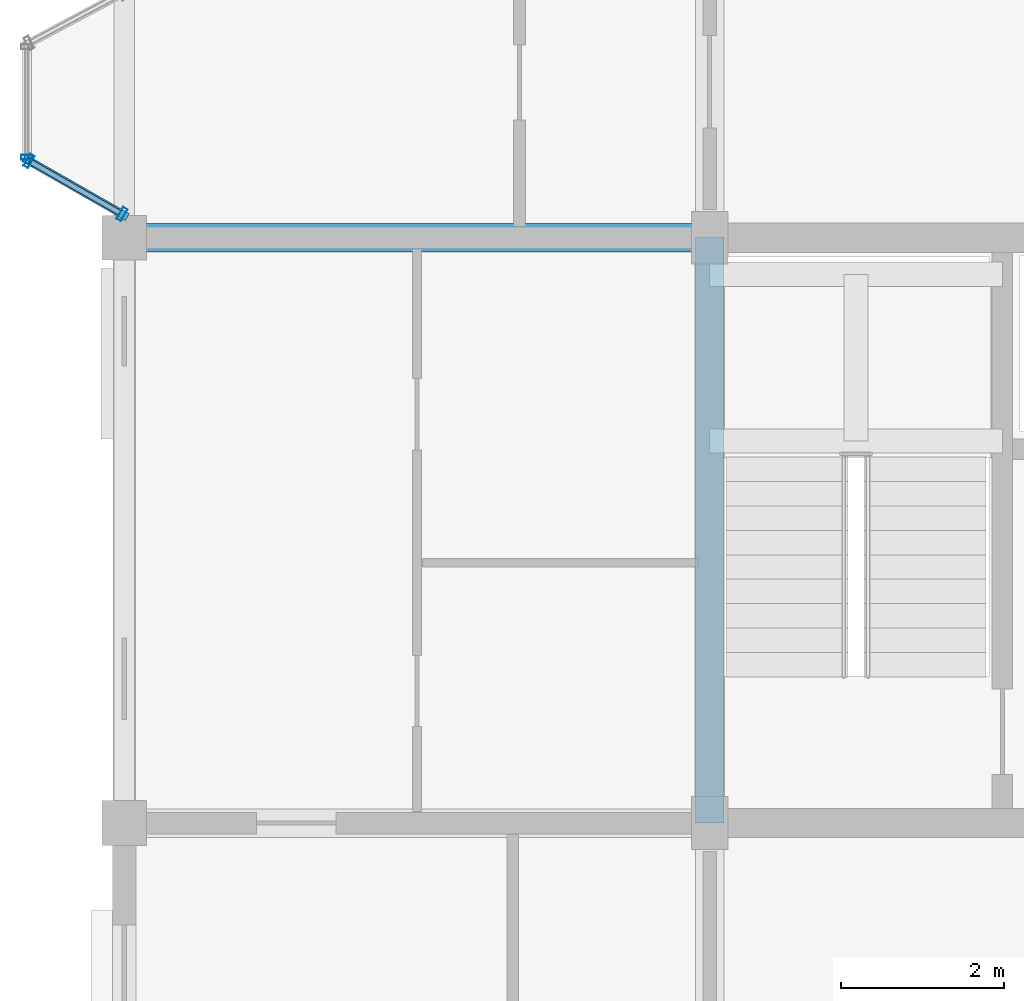
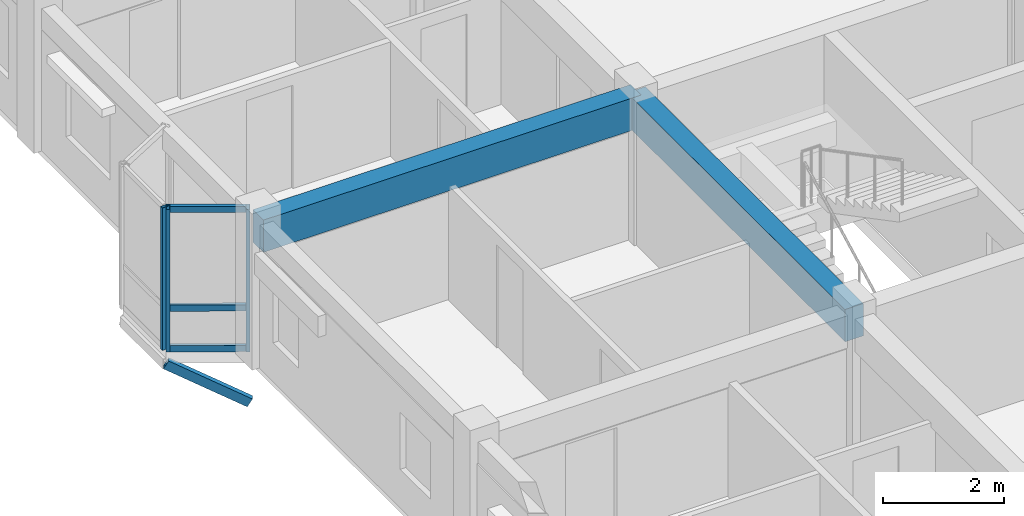
# One storey, part 4 of 77: 7 members, 2 beams, 2 elements without a shape of their own.
"""IFC4 building model written with IfcOpenShell, lengths in metres."""

from ifc_helpers import new_model, si_unit, direction, frame, origin, origin_2d, place, context, subcontext, project, spatial, rectangle, hollow_rectangle, extrude, material, layer, layer_set, material_profile, profile_set, type_object, element, aggregate, save


model = new_model("IFC4")

# Units and contexts
model_context = context("Model", 3, precision=1e-05, world=origin(), true_north=direction((0.0, 1.0)))
body_context = subcontext(model_context, "Body", "Model", "MODEL_VIEW")
ifc_project = project(units=[si_unit("LENGTHUNIT", "METRE"), si_unit("AREAUNIT", "SQUARE_METRE"), si_unit("VOLUMEUNIT", "CUBIC_METRE"), si_unit("PLANEANGLEUNIT", "RADIAN"), si_unit("MASSUNIT", "GRAM", prefix="KILO"), si_unit("THERMODYNAMICTEMPERATUREUNIT", "KELVIN"), si_unit("POWERUNIT", "WATT")], contexts=[model_context])

# Site, building, storey
site_placement = place(None, origin())
site = spatial("IfcSite", under=ifc_project, at=site_placement, CompositionType="ELEMENT")
building_placement = place(site_placement, origin())
building = spatial("IfcBuilding", under=site, at=building_placement, Name="Tavuni Mirador Residences", CompositionType="ELEMENT")
storey_placement = place(building_placement, frame((0.0, 0.0, 10.800048828125)))
storey = spatial("IfcBuildingStorey", under=building, at=storey_placement, Name="L03", CompositionType="ELEMENT", Elevation=10.800048828125)

# Beams
ifc_material_1 = material(Name="Precast concrete C40/50", Category="concrete")
ifc_material_profile_1 = material_profile(ifc_material_1, rectangle(XDim=0.35009765625, YDim=0.64990234375, at=origin_2d()), Name="PC 350x650", Category="concrete")
ifc_profile_set_1 = profile_set([ifc_material_profile_1], Name="Precast concrete C40/50")
beam_type = type_object("IfcBeamType", Name="BT-B650", PredefinedType="BEAM", material=ifc_profile_set_1)
beam_1_placement = place(storey_placement, frame((3.60009765625, 21.60009765625, 2.544921875), z_axis=(1.0, 0.0, 0.0), x_axis=(0.0, 1.0, 0.0)))
element("IfcBeam", 1, at=beam_1_placement, inside=storey, type_object=beam_type, Name="BMX-BLK-A-L03-00-02", PredefinedType="BEAM", context=body_context, shape_type="SweptSolid", body=[
    extrude(rectangle(XDim=0.35009765625, YDim=0.64990234375, at=origin_2d()), origin(), (0.0, 0.0, 1.0), 7.199951171875),
])
beam_2_placement = place(storey_placement, frame((10.800048828125, 14.39990234375, 2.544921875), z_axis=(0.0, 1.0, 0.0), x_axis=(-1.0, 0.0, 0.0)))
element("IfcBeam", 2, at=beam_2_placement, inside=storey, type_object=beam_type, Name="BMY-BLK-A-L03-01-01", PredefinedType="BEAM", context=body_context, shape_type="SweptSolid", body=[
    extrude(rectangle(XDim=0.35009765625, YDim=0.64990234375, at=origin_2d()), origin(), (0.0, 0.0, 1.0), 7.2001953125),
])

# Curtain wall, member
ifc_material_2 = material(Name="Anodised aluminium", Category="aluminium")
ifc_layer_1 = layer(ifc_material_2, 0.1650390625, Name="Anodised aluminium", Category="aluminium")
ifc_layer_set_1 = layer_set([ifc_layer_1], Name="Anodised aluminium")
curtain_wall_type_1 = type_object("IfcCurtainWallType", Name="CWT-MIR-A", PredefinedType="NOTDEFINED", material=ifc_layer_set_1)
curtain_wall_1_placement = place(storey_placement, origin())
curtain_wall_1 = element("IfcCurtainWall", 3, at=curtain_wall_1_placement, inside=storey, type_object=curtain_wall_type_1, Name="CW-MIR-A-W2-L03-MF", PredefinedType="NOTDEFINED")
ifc_material_profile_2 = material_profile(ifc_material_2, hollow_rectangle(XDim=0.06005859375, YDim=0.139892578125, WallThickness=0.00390625, at=origin_2d()), Name="ALU 60x140x4.0", Category="aluminium")
ifc_profile_set_2 = profile_set([ifc_material_profile_2], Name="Anodised aluminium")
member_type_1 = type_object("IfcMemberType", Name="CWM-140", PredefinedType="MULLION", material=ifc_profile_set_2)
member_1_placement = place(storey_placement, frame((2.39990234375, 22.590087890625, 0.0), z_axis=(0.0, 0.0, 1.0), x_axis=(0.0, -1.0, 0.0)))
member_1 = element("IfcMember", 4, at=member_1_placement, type_object=member_type_1, Name="CW-01 mullion 2", PredefinedType="MULLION", context=body_context, shape_type="SweptSolid", body=[
    extrude(hollow_rectangle(XDim=0.06005859375, YDim=0.139892578125, WallThickness=0.00390625, at=origin_2d()), origin(), (0.0, 0.0, 1.0), 2.869873046875),
])
aggregate(curtain_wall_1, [member_1])

# Curtain wall, members
ifc_layer_2 = layer(ifc_material_2, 0.14990234375, Name="Anodised aluminium", Category="aluminium")
ifc_layer_set_2 = layer_set([ifc_layer_2], Name="Anodised aluminium")
curtain_wall_type_2 = type_object("IfcCurtainWallType", Name="CWT-MIR-B", PredefinedType="NOTDEFINED", material=ifc_layer_set_2)
curtain_wall_2_placement = place(storey_placement, origin())
curtain_wall_2 = element("IfcCurtainWall", 5, at=curtain_wall_2_placement, inside=storey, type_object=curtain_wall_type_2, Name="CW-MIR-A-W2-L03-M2", PredefinedType="NOTDEFINED")
ifc_material_profile_3 = material_profile(ifc_material_2, hollow_rectangle(XDim=0.06494140625, YDim=0.1650390625, WallThickness=0.00439453125, at=origin_2d()), Name="ALU 65x165x4.5", Category="aluminium")
ifc_profile_set_3 = profile_set([ifc_material_profile_3], Name="Anodised aluminium")
member_type_2 = type_object("IfcMemberType", Name="CWM-165", PredefinedType="MULLION", material=ifc_profile_set_3)
member_2_placement = place(storey_placement, frame((2.42822265625, 22.5439453125, 0.0), z_axis=(0.0, 0.0, 1.0), x_axis=(0.868465738194, -0.495749192217, 0.0)))
member_2 = element("IfcMember", 6, at=member_2_placement, type_object=member_type_2, Name="CW-02 mullion 1", PredefinedType="MULLION", context=body_context, shape_type="SweptSolid", body=[
    extrude(hollow_rectangle(XDim=0.06494140625, YDim=0.1650390625, WallThickness=0.00439453125, at=origin_2d()), origin(), (0.0, 0.0, 1.0), 2.869873046875),
])
member_3_placement = place(storey_placement, frame((3.57177734375, 21.89111328125, 0.0), z_axis=(0.0, 0.0, 1.0), x_axis=(0.868465738194, -0.495749192217, 0.0)))
member_3 = element("IfcMember", 7, at=member_3_placement, type_object=member_type_2, Name="CW-02 mullion 2", PredefinedType="MULLION", context=body_context, shape_type="SweptSolid", body=[
    extrude(hollow_rectangle(XDim=0.06494140625, YDim=0.1650390625, WallThickness=0.00439453125, at=origin_2d()), origin(), (0.0, 0.0, 1.0), 2.869873046875),
])
ifc_material_profile_4 = material_profile(ifc_material_2, hollow_rectangle(XDim=0.06494140625, YDim=0.125, WallThickness=0.00439453125, at=origin_2d()), Name="ALU 65x125x4.5", Category="aluminium")
ifc_profile_set_4 = profile_set([ifc_material_profile_4], Name="Anodised aluminium")
member_type_3 = type_object("IfcMemberType", Name="CWT-125", PredefinedType="USERDEFINED", material=ifc_profile_set_4)
member_4_placement = place(storey_placement, frame((2.45654296875, 22.52783203125, 0.032470703125), z_axis=(0.868411144788, -0.495844818071, 0.0), x_axis=(0.495844818071, 0.868411144788, 0.0)))
member_4 = element("IfcMember", 8, at=member_4_placement, type_object=member_type_3, Name="CW-02 transom 1.1", ObjectType="TRANSOM", PredefinedType="USERDEFINED", context=body_context, shape_type="SweptSolid", body=[
    extrude(hollow_rectangle(XDim=0.06494140625, YDim=0.125, WallThickness=0.00439453125, at=origin_2d()), origin(), (0.0, 0.0, 1.0), 1.251708984375),
])
member_5_placement = place(storey_placement, frame((2.45654296875, 22.52783203125, 0.849853515625), z_axis=(0.868411144788, -0.495844818071, 0.0), x_axis=(0.495844818071, 0.868411144788, 0.0)))
member_5 = element("IfcMember", 9, at=member_5_placement, type_object=member_type_3, Name="CW-02 transom 1.2", ObjectType="TRANSOM", PredefinedType="USERDEFINED", context=body_context, shape_type="SweptSolid", body=[
    extrude(hollow_rectangle(XDim=0.06494140625, YDim=0.125, WallThickness=0.00439453125, at=origin_2d()), origin(), (0.0, 0.0, 1.0), 1.251708984375),
])
member_6_placement = place(storey_placement, frame((2.45654296875, 22.52783203125, 2.83740234375), z_axis=(0.868411144788, -0.495844818071, 0.0), x_axis=(0.495844818071, 0.868411144788, 0.0)))
member_6 = element("IfcMember", 10, at=member_6_placement, type_object=member_type_3, Name="CW-02 transom 1.3", ObjectType="TRANSOM", PredefinedType="USERDEFINED", context=body_context, shape_type="SweptSolid", body=[
    extrude(hollow_rectangle(XDim=0.06494140625, YDim=0.125, WallThickness=0.00439453125, at=origin_2d()), origin(), (0.0, 0.0, 1.0), 1.251708984375),
])
aggregate(curtain_wall_2, [member_2, member_3, member_4, member_5, member_6])

# Member
ifc_material_3 = material(Name="Structural steel S355", Category="steel")
ifc_material_profile_5 = material_profile(ifc_material_3, hollow_rectangle(XDim=0.10009765625, YDim=0.179931640625, WallThickness=0.008056640625, at=origin_2d()), Name="RHS 180x100x8.0", Category="steel")
ifc_profile_set_5 = profile_set([ifc_material_profile_5], Name="Structural steel S355")
member_type_4 = type_object("IfcMemberType", Name="MT-BR-RHS180", PredefinedType="BRACE", material=ifc_profile_set_5)
member_7_placement = place(storey_placement, frame((3.60009765625, 21.875, -1.050048828125), z_axis=(-0.758659970715, 0.433034962942, 0.486739940528), x_axis=(-0.495720321961, -0.868482217662, 0.0)))
element("IfcMember", 11, at=member_7_placement, inside=storey, type_object=member_type_4, Name="MBRK-MIR-A-W2-L03-1", PredefinedType="BRACE", context=body_context, shape_type="SweptSolid", body=[
    extrude(hollow_rectangle(XDim=0.10009765625, YDim=0.179931640625, WallThickness=0.008056640625, at=origin_2d()), origin(), (0.0, 0.0, 1.0), 1.58203125),
])

save(model, "model.ifc")
